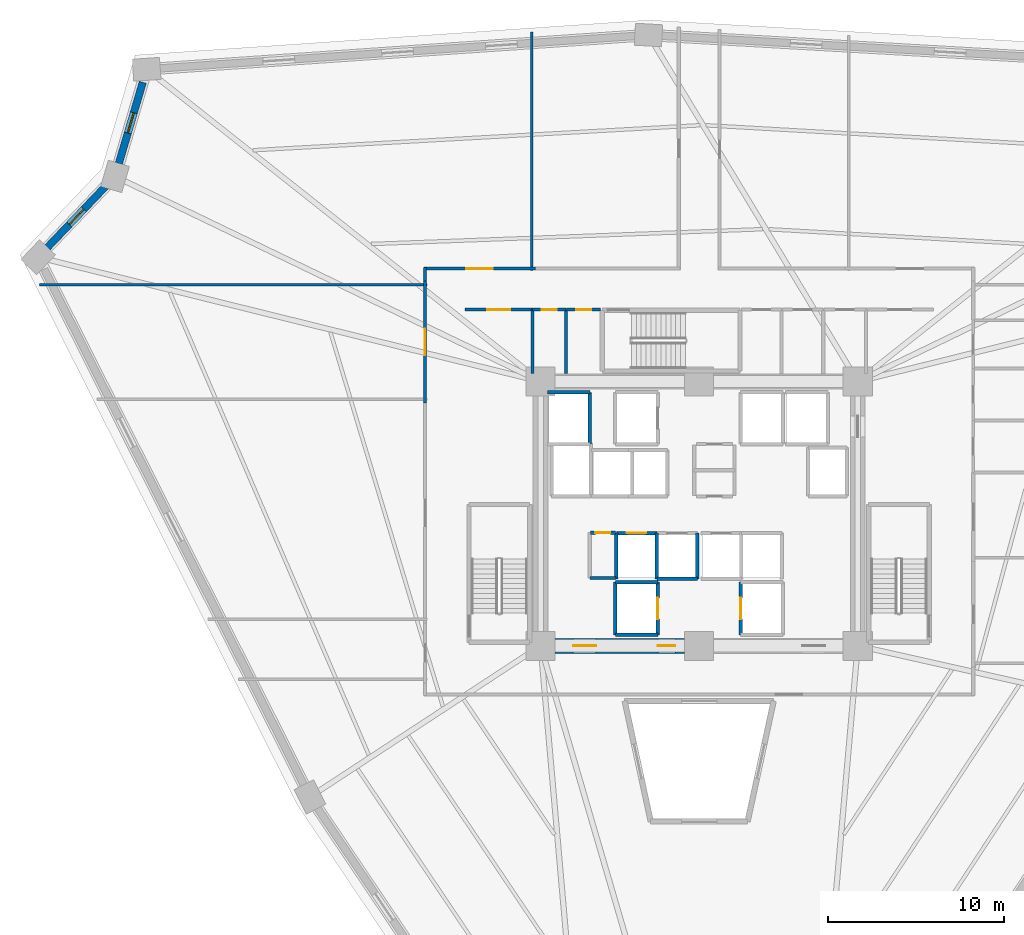
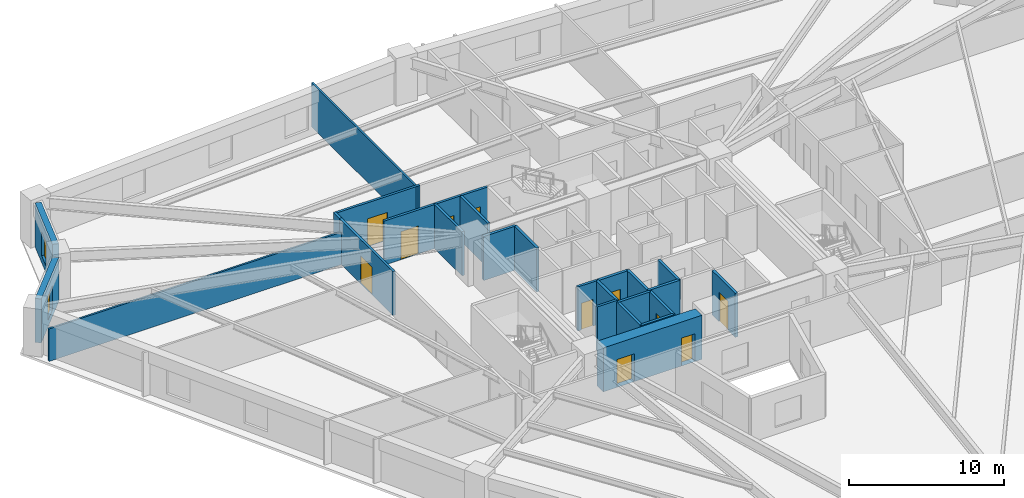
# One storey, part 4 of 8: 27 walls, 11 doors, 2 windows, 13 openings.
"""IFC4 building model written with IfcOpenShell, lengths in metres."""

import ifcopenshell
import ifcopenshell.guid

model = None  # the IFC model being written
_history = None  # IfcOwnerHistory: only IFC2X3 demands one
_inside = {}  # id of a spatial element -> (the spatial element, [elements in it])
_under = {}  # id of a project, library or spatial element -> (it, [spatial elements below it])
_declared = {}  # id of a project -> (the project, [libraries it declares])
_typed = {}  # id of a type object -> (the type object, [elements of that type])
_made_of = {}  # id of a material, layer set ... -> (it, [elements and type objects made of it])


def new_model(schema):
    """Start an empty IFC model of exactly this schema.

    Asked for "IFC4X3", IfcOpenShell would pick the latest addendum, in which some entities
    have other attributes; the version numbers below select the first issue.
    IFC2X3 requires an IfcOwnerHistory on every rooted entity: one is made here for all.
    """
    global model, _history
    if schema == "IFC4X3":
        model = ifcopenshell.file(schema_version=(4, 3, 0, 0))
    else:
        model = ifcopenshell.file(schema=schema)
    _inside.clear()
    _under.clear()
    _declared.clear()
    _typed.clear()
    _made_of.clear()
    _history = None
    if model.schema == "IFC2X3":
        org = make("IfcOrganization", Name="unknown")
        user = make(
            "IfcPersonAndOrganization",
            ThePerson=make("IfcPerson", FamilyName="unknown"),
            TheOrganization=org,
        )
        app = make(
            "IfcApplication",
            ApplicationDeveloper=org,
            Version="unknown",
            ApplicationFullName="unknown",
            ApplicationIdentifier="unknown",
        )
        _history = make(
            "IfcOwnerHistory",
            OwningUser=user,
            OwningApplication=app,
            ChangeAction="ADDED",
            CreationDate=0,
        )
    return model


def make(cls, **values):
    """One entity of the class cls with the attributes given. An attribute that is None is left unset."""
    return model.create_entity(
        cls, **{name: value for name, value in values.items() if value is not None}
    )


def rooted(cls, **values):
    """An entity with a GlobalId (a new one), such as an element, a storey or a relation."""
    return make(cls, GlobalId=ifcopenshell.guid.new(), OwnerHistory=_history, **values)


def si_unit(unit_type, name, prefix=None):
    """IfcSIUnit, for example si_unit("LENGTHUNIT", "METRE", prefix="MILLI")."""
    return make("IfcSIUnit", UnitType=unit_type, Prefix=prefix, Name=name)


def assignment(units):
    """IfcUnitAssignment: the units of a project."""
    return None if units is None else make("IfcUnitAssignment", Units=units)


def point(xyz):
    """IfcCartesianPoint."""
    return None if xyz is None else make("IfcCartesianPoint", Coordinates=xyz)


def direction(xyz):
    """IfcDirection."""
    return None if xyz is None else make("IfcDirection", DirectionRatios=xyz)


def frame(location, z_axis=None, x_axis=None):
    """IfcAxis2Placement3D, a coordinate frame: its origin and axes. An axis left out is left unset."""
    return make(
        "IfcAxis2Placement3D",
        Location=point(location),
        Axis=direction(z_axis),
        RefDirection=direction(x_axis),
    )


def frame_2d(location, x_axis=None):
    """IfcAxis2Placement2D, a coordinate frame in the plane: its origin and x axis."""
    return make(
        "IfcAxis2Placement2D", Location=point(location), RefDirection=direction(x_axis)
    )


def origin():
    """The frame at (0, 0, 0) with its axes left unset."""
    return frame((0.0, 0.0, 0.0))


def place(relative_to, where):
    """IfcLocalPlacement: puts the frame where relative to a parent placement (None: the world)."""
    return make(
        "IfcLocalPlacement", PlacementRelTo=relative_to, RelativePlacement=where
    )


def context(
    kind, dimensions, precision=None, world=None, true_north=None, identifier=None
):
    """IfcGeometricRepresentationContext, for example the 3D "Model" context."""
    return make(
        "IfcGeometricRepresentationContext",
        ContextIdentifier=identifier,
        ContextType=kind,
        CoordinateSpaceDimension=dimensions,
        Precision=precision,
        WorldCoordinateSystem=world,
        TrueNorth=true_north,
    )


def subcontext(parent, identifier, kind, view, scale=None):
    """IfcGeometricRepresentationSubContext, for example "Body" below "Model"."""
    return make(
        "IfcGeometricRepresentationSubContext",
        ContextIdentifier=identifier,
        ContextType=kind,
        ParentContext=parent,
        TargetScale=scale,
        TargetView=view,
    )


def project(units=None, contexts=None):
    """IfcProject with its units and contexts."""
    return rooted(
        "IfcProject",
        Name="project",
        RepresentationContexts=contexts,
        UnitsInContext=assignment(units),
    )


def spatial(cls, under=None, at=None, **own):
    """A site, building, storey or space (cls), placed at a placement, below another one or the project."""
    s = rooted(cls, ObjectPlacement=at, **own)
    if under is not None:
        _under.setdefault(under.id(), (under, []))[1].append(s)
    return s


def profile(cls, at=None, kind="AREA", **sizes):
    """A parametric profile (cls). Its sizes go by their IFC names, for example OverallWidth=200.0."""
    return make(cls, ProfileType=kind, Position=at, **sizes)


def rectangle(**sizes):
    """IfcRectangleProfileDef."""
    return profile("IfcRectangleProfileDef", **sizes)


def extrude(swept, where, along, depth):
    """IfcExtrudedAreaSolid: the profile swept, set in the frame where, extruded along a direction by depth."""
    return make(
        "IfcExtrudedAreaSolid",
        SweptArea=swept,
        Position=where,
        ExtrudedDirection=direction(along),
        Depth=depth,
    )


def shape(context_of_items, identifier, shape_type, items):
    """IfcShapeRepresentation: the items that make up one representation, for example the "Body"."""
    return make(
        "IfcShapeRepresentation",
        ContextOfItems=context_of_items,
        RepresentationIdentifier=identifier,
        RepresentationType=shape_type,
        Items=items,
    )


def source(mapping_origin, context_of_items, identifier, shape_type, items):
    """IfcRepresentationMap: a shape defined once, which mapped items show again and again."""
    return make(
        "IfcRepresentationMap",
        MappingOrigin=mapping_origin,
        MappedRepresentation=shape(context_of_items, identifier, shape_type, items),
    )


def transform(
    local_origin,
    x_axis=None,
    y_axis=None,
    z_axis=None,
    scale=None,
    scale2=None,
    scale3=None,
    uniform=True,
):
    """IfcCartesianTransformationOperator3D, or its non-uniform kind. x_axis, y_axis, z_axis: its Axis1, 2, 3."""
    if uniform:
        return make(
            "IfcCartesianTransformationOperator3D",
            Axis1=direction(x_axis),
            Axis2=direction(y_axis),
            LocalOrigin=point(local_origin),
            Scale=scale,
            Axis3=direction(z_axis),
        )
    return make(
        "IfcCartesianTransformationOperator3DnonUniform",
        Axis1=direction(x_axis),
        Axis2=direction(y_axis),
        LocalOrigin=point(local_origin),
        Scale=scale,
        Axis3=direction(z_axis),
        Scale2=scale2,
        Scale3=scale3,
    )


def mapped(mapping_source, mapping_target):
    """IfcMappedItem: shows the shape of a source again, moved by a transform."""
    return make(
        "IfcMappedItem", MappingSource=mapping_source, MappingTarget=mapping_target
    )


def material(Name=None, Category=None):
    """IfcMaterial."""
    return make("IfcMaterial", Name=Name, Category=Category)


def layer(
    of_material, thickness, ventilated=None, Name=None, Category=None, Priority=None
):
    """IfcMaterialLayer: one layer of a wall or slab, of a material (None: an air gap)."""
    return make(
        "IfcMaterialLayer",
        Material=of_material,
        LayerThickness=thickness,
        IsVentilated=ventilated,
        Name=Name,
        Category=Category,
        Priority=Priority,
    )


def layer_set(layers, Name=None):
    """IfcMaterialLayerSet."""
    return make("IfcMaterialLayerSet", MaterialLayers=layers, LayerSetName=Name)


def made_of(thing, what):
    """Note that an element or type object is made of a material, layer set ...; save() writes the relation."""
    if what is not None:
        _made_of.setdefault(what.id(), (what, []))[1].append(thing)
    return thing


def type_object(cls, material=None, **own):
    """A type object (cls), such as IfcWallType, which elements share."""
    return made_of(rooted(cls, **own), material)


def element(
    cls,
    number,
    at=None,
    inside=None,
    cuts=None,
    type_object=None,
    material=None,
    context=None,
    identifier="Body",
    shape_type=None,
    held_by="IfcProductDefinitionShape",
    body=None,
    shapes=None,
    **own,
):
    """One element of the class cls, such as IfcWall. Its Tag is "e" and its number.

    at: its placement. inside: the storey or other place that contains it. cuts: it is an
    opening in that element (IfcRelVoidsElement). A single representation is given by context,
    identifier, shape_type and body (its items); several are given by shapes. held_by: the class
    of the entity that holds the representations. save() writes the other relations.
    """
    e = rooted(cls, Tag="e%d" % number, ObjectPlacement=at, **own)
    if body is not None:
        shapes = [shape(context, identifier, shape_type, body)]
    if shapes is not None:
        e.Representation = make(held_by, Representations=shapes)
    if inside is not None:
        _inside.setdefault(inside.id(), (inside, []))[1].append(e)
    if cuts is not None:
        rooted(
            "IfcRelVoidsElement", RelatingBuildingElement=cuts, RelatedOpeningElement=e
        )
    if type_object is not None:
        _typed.setdefault(type_object.id(), (type_object, []))[1].append(e)
    return made_of(e, material)


def fill(opening, filler):
    """IfcRelFillsElement: the door or window that sits in an opening."""
    return rooted(
        "IfcRelFillsElement",
        RelatingOpeningElement=opening,
        RelatedBuildingElement=filler,
    )


def aggregate(whole, parts):
    """IfcRelAggregates: a whole, such as a stair, and the parts it consists of."""
    return rooted("IfcRelAggregates", RelatingObject=whole, RelatedObjects=parts)


def save(model, path):
    """Write the relations noted so far, then the file.

    IfcRelAggregates (storeys below a building ...), IfcRelContainedInSpatialStructure (elements
    in a storey), IfcRelDefinesByType, IfcRelAssociatesMaterial and IfcRelDeclares: one each for
    every whole, place, type object, material and project.
    """
    for whole, parts in _under.values():
        aggregate(whole, parts)
    for where, things in _inside.values():
        rooted(
            "IfcRelContainedInSpatialStructure",
            RelatedElements=things,
            RelatingStructure=where,
        )
    for kind, things in _typed.values():
        rooted("IfcRelDefinesByType", RelatedObjects=things, RelatingType=kind)
    for what, things in _made_of.values():
        rooted("IfcRelAssociatesMaterial", RelatedObjects=things, RelatingMaterial=what)
    for by, libraries in _declared.values():
        rooted("IfcRelDeclares", RelatingContext=by, RelatedDefinitions=libraries)
    model.write(path)


model = new_model("IFC4")

# Units and contexts
model_context = context("Model", 3, precision=1e-05, world=origin(), true_north=direction((0.0, 1.0)))
body_context = subcontext(model_context, "Body", "Model", "MODEL_VIEW")
ifc_project = project(units=[si_unit("LENGTHUNIT", "METRE"), si_unit("AREAUNIT", "SQUARE_METRE"), si_unit("VOLUMEUNIT", "CUBIC_METRE"), si_unit("PLANEANGLEUNIT", "RADIAN"), si_unit("MASSUNIT", "GRAM", prefix="KILO")], contexts=[model_context])

# Site, building, storey
site_placement = place(None, origin())
site = spatial("IfcSite", under=ifc_project, at=site_placement, CompositionType="ELEMENT")
building_placement = place(site_placement, origin())
building = spatial("IfcBuilding", under=site, at=building_placement, Name="Liaohun Quay Tower", CompositionType="ELEMENT")
storey_placement = place(building_placement, frame((0.0, 0.0, 89.25)))
storey = spatial("IfcBuildingStorey", under=building, at=storey_placement, Name="L23", CompositionType="ELEMENT", Elevation=89.25)

# Wall, openings, doors
ifc_material_1 = material(Name="Concrete C60", Category="concrete")
ifc_layer_1 = layer(ifc_material_1, 0.85009765625, Name="Concrete C60", Category="concrete")
ifc_layer_set_1 = layer_set([ifc_layer_1], Name="Concrete C60")
wall_type_1 = type_object("IfcWallType", Name="WAL-COR-Z1", PredefinedType="SHEAR", material=ifc_layer_set_1)
wall_1_placement = place(storey_placement, frame((59.175048828125, 46.5, 0.0), z_axis=(0.0, 0.0, 1.0), x_axis=(-1.0, 0.0, 0.0)))
wall_1 = element("IfcWall", 1, at=wall_1_placement, inside=storey, type_object=wall_type_1, Name="L23 Central Core Shear Wall S-W", PredefinedType="SHEAR", context=body_context, shape_type="SweptSolid", body=[
    extrude(rectangle(XDim=7.35009765625, YDim=0.85009765625, at=frame_2d((3.675048828125, 0.0))), origin(), (0.0, 0.0, 1.0), 3.469970703125),
])
shared_shape_1 = source(origin(), body_context, "Body", "SweptSolid", [
    extrude(rectangle(XDim=1.300048828125, YDim=2.199951171875, at=frame_2d((0.64990234375, 1.10009765625))), frame((0.0, 0.43505859375, 0.0), z_axis=(0.0, -1.0, 0.0), x_axis=(1.0, 0.0, 0.0)), (0.0, 0.0, 1.0), 0.8701171875),
])
opening_1_placement = place(wall_1_placement, frame((5.02490234375, 0.0, 0.0)))
opening_1 = element("IfcOpeningElement", 2, at=opening_1_placement, cuts=wall_1, Name="Opening FD1", PredefinedType="OPENING", context=body_context, shape_type="MappedRepresentation", body=[
    mapped(shared_shape_1, transform((0.0, 0.0, 0.0), x_axis=(1.0, 0.0, 0.0), y_axis=(0.0, 1.0, 0.0), z_axis=(0.0, 0.0, 1.0), scale=1.0)),
])
shared_shape_2 = source(origin(), body_context, "Body", "SweptSolid", [
    extrude(rectangle(XDim=1.0, YDim=2.199951171875, at=frame_2d((0.5, 1.10009765625))), frame((0.0, 0.43505859375, 0.0), z_axis=(0.0, -1.0, 0.0), x_axis=(1.0, 0.0, 0.0)), (0.0, 0.0, 1.0), 0.8701171875),
])
opening_2_placement = place(wall_1_placement, frame((0.52490234375, 0.0, 0.0)))
opening_2 = element("IfcOpeningElement", 3, at=opening_2_placement, cuts=wall_1, Name="Opening FD2", PredefinedType="OPENING", context=body_context, shape_type="MappedRepresentation", body=[
    mapped(shared_shape_2, transform((0.0, 0.0, 0.0), x_axis=(1.0, 0.0, 0.0), y_axis=(0.0, 1.0, 0.0), z_axis=(0.0, 0.0, 1.0), scale=1.0)),
])
ifc_material_2 = material(Name="Galvanised steel smokeproof fire door", Category="steel")
door_type_1 = type_object("IfcDoorType", Name="DOR-FFL-1300", OperationType="NOTDEFINED", PredefinedType="DOOR", material=ifc_material_2)
shared_shape_3 = source(origin(), body_context, "Body", "SweptSolid", [
    extrude(rectangle(XDim=1.300048828125, YDim=2.199951171875, at=frame_2d((0.64990234375, 1.10009765625))), frame((0.0, 0.02490234375, 0.0), z_axis=(0.0, -1.0, 0.0), x_axis=(1.0, 0.0, 0.0)), (0.0, 0.0, 1.0), 0.050048828125),
])
door_1_placement = place(opening_1_placement, origin())
door_1 = element("IfcDoor", 4, at=door_1_placement, inside=storey, type_object=door_type_1, Name="L23 West Core Lift Lobby Smokeproof Door", OperationType="SINGLE_SWING_RIGHT", OverallHeight=2.199951171875, OverallWidth=1.300048828125, PredefinedType="DOOR", context=body_context, shape_type="MappedRepresentation", body=[
    mapped(shared_shape_3, transform((0.0, 0.0, 0.0), x_axis=(1.0, 0.0, 0.0), y_axis=(0.0, 1.0, 0.0), z_axis=(0.0, 0.0, 1.0), scale=1.0)),
])
fill(opening_1, door_1)
ifc_material_3 = material(Name="Galvanised steel smokeproof lobby fire door", Category="steel")
door_type_2 = type_object("IfcDoorType", Name="DOR-FFL-1000", OperationType="NOTDEFINED", PredefinedType="DOOR", material=ifc_material_3)
shared_shape_4 = source(origin(), body_context, "Body", "SweptSolid", [
    extrude(rectangle(XDim=1.0, YDim=2.199951171875, at=frame_2d((0.5, 1.10009765625))), frame((0.0, 0.02490234375, 0.0), z_axis=(0.0, -1.0, 0.0), x_axis=(1.0, 0.0, 0.0)), (0.0, 0.0, 1.0), 0.050048828125),
])
door_2_placement = place(opening_2_placement, origin())
door_2 = element("IfcDoor", 5, at=door_2_placement, inside=storey, type_object=door_type_2, Name="L23 South Firefighting Lobby Smokeproof Door", OperationType="SINGLE_SWING_LEFT", OverallHeight=2.199951171875, OverallWidth=1.0, PredefinedType="DOOR", context=body_context, shape_type="MappedRepresentation", body=[
    mapped(shared_shape_4, transform((0.0, 0.0, 0.0), x_axis=(1.0, 0.0, 0.0), y_axis=(0.0, 1.0, 0.0), z_axis=(0.0, 0.0, 1.0), scale=1.0)),
])
fill(opening_2, door_2)

# Wall, opening, window
ifc_material_4 = material(Name="Precast concrete C50 insulated sandwich", Category="concrete")
ifc_layer_2 = layer(ifc_material_4, 0.419921875, Name="Precast concrete C50 insulated sandwich", Category="concrete")
ifc_layer_set_2 = layer_set([ifc_layer_2], Name="Precast concrete C50 insulated sandwich")
wall_type_2 = type_object("IfcWallType", Name="WAL-EXT-Z12", PredefinedType="SOLIDWALL", material=ifc_layer_set_2)
wall_2_placement = place(storey_placement, frame((28.4208984375, 78.488037109375, 0.0), z_axis=(0.0, 0.0, 1.0), x_axis=(-0.282812256526, -0.959175285106, 0.0)))
wall_2 = element("IfcWall", 6, at=wall_2_placement, inside=storey, type_object=wall_type_2, Name="L23 Brutalist Precast Pier Wall 08", PredefinedType="SOLIDWALL", context=body_context, shape_type="SweptSolid", body=[
    extrude(rectangle(XDim=4.808349609375, YDim=0.419921875, at=frame_2d((2.404296875, 0.0))), origin(), (0.0, 0.0, 1.0), 3.469970703125),
])
shared_shape_5 = source(origin(), body_context, "Body", "SweptSolid", [
    extrude(rectangle(XDim=1.199951171875, YDim=1.89990234375, at=frame_2d((0.60009765625, 0.949951171875))), frame((0.0, 0.219970703125, 0.0), z_axis=(0.0, -1.0, 0.0), x_axis=(1.0, 0.0, 0.0)), (0.0, 0.0, 1.0), 0.43994140625),
])
opening_3_placement = place(wall_2_placement, frame((1.803955078125, 0.0, 0.550048828125)))
opening_3 = element("IfcOpeningElement", 7, at=opening_3_placement, cuts=wall_2, Name="Opening W05", PredefinedType="OPENING", context=body_context, shape_type="MappedRepresentation", body=[
    mapped(shared_shape_5, transform((0.0, 0.0, 0.0), x_axis=(1.0, 0.0, 0.0), y_axis=(0.0, 1.0, 0.0), z_axis=(0.0, 0.0, 1.0), scale=1.0)),
])
ifc_material_5 = material(Name="Triple Low-E corner notch glazing", Category="glass")
window_type = type_object("IfcWindowType", Name="WIN-NOTCH", PartitioningType="SINGLE_PANEL", PredefinedType="WINDOW", material=ifc_material_5)
shared_shape_6 = source(origin(), body_context, "Body", "SweptSolid", [
    extrude(rectangle(XDim=1.199951171875, YDim=1.89990234375, at=frame_2d((0.60009765625, 0.949951171875))), frame((0.0, 0.030029296875, 0.0), z_axis=(0.0, -1.0, 0.0), x_axis=(1.0, 0.0, 0.0)), (0.0, 0.0, 1.0), 0.06005859375),
])
window_1_placement = place(opening_3_placement, origin())
window_1 = element("IfcWindow", 8, at=window_1_placement, inside=storey, type_object=window_type, Name="L23 Corner Notch Window W05-08", OverallHeight=1.89990234375, OverallWidth=1.199951171875, PartitioningType="SINGLE_PANEL", PredefinedType="WINDOW", context=body_context, shape_type="MappedRepresentation", body=[
    mapped(shared_shape_6, transform((0.0, 0.0, 0.0), x_axis=(1.0, 0.0, 0.0), y_axis=(0.0, 1.0, 0.0), z_axis=(0.0, 0.0, 1.0), scale=1.0)),
])
fill(opening_3, window_1)

wall_3_placement = place(storey_placement, frame((26.318115234375, 72.587890625, 0.0), z_axis=(0.0, 0.0, 1.0), x_axis=(-0.689510475748, -0.724275709819, 0.0)))
wall_3 = element("IfcWall", 9, at=wall_3_placement, inside=storey, type_object=wall_type_2, Name="L23 Brutalist Precast Pier Wall 09", PredefinedType="SOLIDWALL", context=body_context, shape_type="SweptSolid", body=[
    extrude(rectangle(XDim=4.803466796875, YDim=0.419921875, at=frame_2d((2.40185546875, 0.0))), origin(), (0.0, 0.0, 1.0), 3.469970703125),
])
opening_4_placement = place(wall_3_placement, frame((1.802001953125, 0.0, 0.550048828125)))
opening_4 = element("IfcOpeningElement", 10, at=opening_4_placement, cuts=wall_3, Name="Opening W05", PredefinedType="OPENING", context=body_context, shape_type="MappedRepresentation", body=[
    mapped(shared_shape_5, transform((0.0, 0.0, 0.0), x_axis=(1.0, 0.0, 0.0), y_axis=(0.0, 1.0, 0.0), z_axis=(0.0, 0.0, 1.0), scale=1.0)),
])
window_2_placement = place(opening_4_placement, origin())
window_2 = element("IfcWindow", 11, at=window_2_placement, inside=storey, type_object=window_type, Name="L23 Corner Notch Window W05-09", OverallHeight=1.89990234375, OverallWidth=1.199951171875, PartitioningType="SINGLE_PANEL", PredefinedType="WINDOW", context=body_context, shape_type="MappedRepresentation", body=[
    mapped(shared_shape_6, transform((0.0, 0.0, 0.0), x_axis=(1.0, 0.0, 0.0), y_axis=(0.0, 1.0, 0.0), z_axis=(0.0, 0.0, 1.0), scale=1.0)),
])
fill(opening_4, window_2)

# Wall, opening, door
ifc_material_6 = material(Name="Autoclaved aerated concrete blockwork", Category="masonry")
ifc_layer_3 = layer(ifc_material_6, 0.179931640625, Name="Autoclaved aerated concrete blockwork", Category="masonry")
ifc_layer_set_3 = layer_set([ifc_layer_3], Name="Autoclaved aerated concrete blockwork")
wall_type_3 = type_object("IfcWallType", Name="WAL-PRT-COR", PredefinedType="PARTITIONING", material=ifc_layer_set_3)
wall_4_placement = place(storey_placement, frame((53.820068359375, 52.919921875, 0.0), z_axis=(0.0, 0.0, 1.0), x_axis=(1.0, 0.0, 0.0)))
wall_4 = element("IfcWall", 12, at=wall_4_placement, inside=storey, type_object=wall_type_3, Name="L23 Interior Partition Wall 003", PredefinedType="PARTITIONING", context=body_context, shape_type="SweptSolid", body=[
    extrude(rectangle(XDim=1.429931640625, YDim=0.179931640625, at=frame_2d((0.71484375, 0.0))), origin(), (0.0, 0.0, 1.0), 3.469970703125),
])
shared_shape_7 = source(origin(), body_context, "Body", "SweptSolid", [
    extrude(rectangle(XDim=0.85009765625, YDim=2.10009765625, at=frame_2d((0.425048828125, 1.050048828125))), frame((0.0, 0.099853515625, 0.0), z_axis=(0.0, -1.0, 0.0), x_axis=(1.0, 0.0, 0.0)), (0.0, 0.0, 1.0), 0.199951171875),
])
opening_5_placement = place(wall_4_placement, frame((0.2900390625, 0.0, 0.0)))
opening_5 = element("IfcOpeningElement", 13, at=opening_5_placement, cuts=wall_4, Name="Opening AD1", PredefinedType="OPENING", context=body_context, shape_type="MappedRepresentation", body=[
    mapped(shared_shape_7, transform((0.0, 0.0, 0.0), x_axis=(1.0, 0.0, 0.0), y_axis=(0.0, 1.0, 0.0), z_axis=(0.0, 0.0, 1.0), scale=1.0)),
])
ifc_material_7 = material(Name="Steel riser inspection fire door", Category="steel")
door_type_3 = type_object("IfcDoorType", Name="DOR-SHF-850", OperationType="NOTDEFINED", PredefinedType="DOOR", material=ifc_material_7)
shared_shape_8 = source(origin(), body_context, "Body", "SweptSolid", [
    extrude(rectangle(XDim=0.85009765625, YDim=2.10009765625, at=frame_2d((0.425048828125, 1.050048828125))), frame((0.0, 0.02490234375, 0.0), z_axis=(0.0, -1.0, 0.0), x_axis=(1.0, 0.0, 0.0)), (0.0, 0.0, 1.0), 0.050048828125),
])
door_3_placement = place(opening_5_placement, origin())
door_3 = element("IfcDoor", 14, at=door_3_placement, inside=storey, type_object=door_type_3, Name="L23 Core Fire Hose and Riser Closet Door", OperationType="SINGLE_SWING_RIGHT", OverallHeight=2.10009765625, OverallWidth=0.85009765625, PredefinedType="DOOR", context=body_context, shape_type="MappedRepresentation", body=[
    mapped(shared_shape_8, transform((0.0, 0.0, 0.0), x_axis=(1.0, 0.0, 0.0), y_axis=(0.0, 1.0, 0.0), z_axis=(0.0, 0.0, 1.0), scale=1.0)),
])
fill(opening_5, door_3)

wall_5_placement = place(storey_placement, frame((50.5400390625, 65.580078125, 0.0), z_axis=(0.0, 0.0, 1.0), x_axis=(1.0, 0.0, 0.0)))
wall_5 = element("IfcWall", 15, at=wall_5_placement, inside=storey, type_object=wall_type_3, Name="L23 Interior Partition Wall 007", PredefinedType="PARTITIONING", context=body_context, shape_type="SweptSolid", body=[
    extrude(rectangle(XDim=1.89990234375, YDim=0.179931640625, at=frame_2d((0.949951171875, 0.0))), origin(), (0.0, 0.0, 1.0), 3.469970703125),
])
opening_6_placement = place(wall_5_placement, frame((0.52490234375, 0.0, 0.0)))
opening_6 = element("IfcOpeningElement", 16, at=opening_6_placement, cuts=wall_5, Name="Opening AD1", PredefinedType="OPENING", context=body_context, shape_type="MappedRepresentation", body=[
    mapped(shared_shape_7, transform((0.0, 0.0, 0.0), x_axis=(1.0, 0.0, 0.0), y_axis=(0.0, 1.0, 0.0), z_axis=(0.0, 0.0, 1.0), scale=1.0)),
])
door_4_placement = place(opening_6_placement, origin())
door_4 = element("IfcDoor", 17, at=door_4_placement, inside=storey, type_object=door_type_3, Name="L23 North-West Riser Closet Door", OperationType="SINGLE_SWING_RIGHT", OverallHeight=2.10009765625, OverallWidth=0.85009765625, PredefinedType="DOOR", context=body_context, shape_type="MappedRepresentation", body=[
    mapped(shared_shape_8, transform((0.0, 0.0, 0.0), x_axis=(1.0, 0.0, 0.0), y_axis=(0.0, 1.0, 0.0), z_axis=(0.0, 0.0, 1.0), scale=1.0)),
])
fill(opening_6, door_4)

wall_6_placement = place(storey_placement, frame((52.47998046875, 65.580078125, 0.0), z_axis=(0.0, 0.0, 1.0), x_axis=(1.0, 0.0, 0.0)))
wall_6 = element("IfcWall", 18, at=wall_6_placement, inside=storey, type_object=wall_type_3, Name="L23 Interior Partition Wall 008", PredefinedType="PARTITIONING", context=body_context, shape_type="SweptSolid", body=[
    extrude(rectangle(XDim=1.929931640625, YDim=0.179931640625, at=frame_2d((0.96484375, 0.0))), origin(), (0.0, 0.0, 1.0), 3.469970703125),
])
opening_7_placement = place(wall_6_placement, frame((0.5400390625, 0.0, 0.0)))
opening_7 = element("IfcOpeningElement", 19, at=opening_7_placement, cuts=wall_6, Name="Opening AD1", PredefinedType="OPENING", context=body_context, shape_type="MappedRepresentation", body=[
    mapped(shared_shape_7, transform((0.0, 0.0, 0.0), x_axis=(1.0, 0.0, 0.0), y_axis=(0.0, 1.0, 0.0), z_axis=(0.0, 0.0, 1.0), scale=1.0)),
])
door_5_placement = place(opening_7_placement, origin())
door_5 = element("IfcDoor", 20, at=door_5_placement, inside=storey, type_object=door_type_3, Name="L23 North-West Print Closet Door", OperationType="SINGLE_SWING_LEFT", OverallHeight=2.10009765625, OverallWidth=0.85009765625, PredefinedType="DOOR", context=body_context, shape_type="MappedRepresentation", body=[
    mapped(shared_shape_8, transform((0.0, 0.0, 0.0), x_axis=(1.0, 0.0, 0.0), y_axis=(0.0, 1.0, 0.0), z_axis=(0.0, 0.0, 1.0), scale=1.0)),
])
fill(opening_7, door_5)

wall_7_placement = place(storey_placement, frame((46.699951171875, 65.580078125, 0.0), z_axis=(0.0, 0.0, 1.0), x_axis=(1.0, 0.0, 0.0)))
wall_7 = element("IfcWall", 21, at=wall_7_placement, inside=storey, type_object=wall_type_3, Name="L23 Interior Partition Wall 012", PredefinedType="PARTITIONING", context=body_context, shape_type="SweptSolid", body=[
    extrude(rectangle(XDim=3.840087890625, YDim=0.179931640625, at=frame_2d((1.919921875, 0.0))), origin(), (0.0, 0.0, 1.0), 3.469970703125),
])
shared_shape_9 = source(origin(), body_context, "Body", "SweptSolid", [
    extrude(rectangle(XDim=1.300048828125, YDim=2.199951171875, at=frame_2d((0.64990234375, 1.10009765625))), frame((0.0, 0.099853515625, 0.0), z_axis=(0.0, -1.0, 0.0), x_axis=(1.0, 0.0, 0.0)), (0.0, 0.0, 1.0), 0.199951171875),
])
opening_8_placement = place(wall_7_placement, frame((1.27001953125, 0.0, 0.0)))
opening_8 = element("IfcOpeningElement", 22, at=opening_8_placement, cuts=wall_7, Name="Opening FD1", PredefinedType="OPENING", context=body_context, shape_type="MappedRepresentation", body=[
    mapped(shared_shape_9, transform((0.0, 0.0, 0.0), x_axis=(1.0, 0.0, 0.0), y_axis=(0.0, 1.0, 0.0), z_axis=(0.0, 0.0, 1.0), scale=1.0)),
])
door_6_placement = place(opening_8_placement, origin())
door_6 = element("IfcDoor", 23, at=door_6_placement, inside=storey, type_object=door_type_1, Name="L23 West Core Vestibule Door", OperationType="SINGLE_SWING_LEFT", OverallHeight=2.199951171875, OverallWidth=1.300048828125, PredefinedType="DOOR", context=body_context, shape_type="MappedRepresentation", body=[
    mapped(shared_shape_3, transform((0.0, 0.0, 0.0), x_axis=(1.0, 0.0, 0.0), y_axis=(0.0, 1.0, 0.0), z_axis=(0.0, 0.0, 1.0), scale=1.0)),
])
fill(opening_8, door_6)

wall_8_placement = place(storey_placement, frame((44.3701171875, 67.909912109375, 0.0), z_axis=(0.0, 0.0, 1.0), x_axis=(1.0, 0.0, 0.0)))
wall_8 = element("IfcWall", 24, at=wall_8_placement, inside=storey, type_object=wall_type_3, Name="L23 Interior Partition Wall 018", PredefinedType="PARTITIONING", context=body_context, shape_type="SweptSolid", body=[
    extrude(rectangle(XDim=6.344970703125, YDim=0.179931640625, at=frame_2d((3.17236328125, 0.0))), origin(), (0.0, 0.0, 1.0), 3.469970703125),
])
shared_shape_10 = source(origin(), body_context, "Body", "SweptSolid", [
    extrude(rectangle(XDim=1.5, YDim=2.199951171875, at=frame_2d((0.75, 1.10009765625))), frame((0.0, 0.099853515625, 0.0), z_axis=(0.0, -1.0, 0.0), x_axis=(1.0, 0.0, 0.0)), (0.0, 0.0, 1.0), 0.199951171875),
])
opening_9_placement = place(wall_8_placement, frame((2.423095703125, 0.0, 0.0)))
opening_9 = element("IfcOpeningElement", 25, at=opening_9_placement, cuts=wall_8, Name="Opening OD2", PredefinedType="OPENING", context=body_context, shape_type="MappedRepresentation", body=[
    mapped(shared_shape_10, transform((0.0, 0.0, 0.0), x_axis=(1.0, 0.0, 0.0), y_axis=(0.0, 1.0, 0.0), z_axis=(0.0, 0.0, 1.0), scale=1.0)),
])
ifc_material_8 = material(Name="Acoustic oak veneer double door")
door_type_4 = type_object("IfcDoorType", Name="DOR-OFF-1500", OperationType="DOUBLE_DOOR_SINGLE_SWING", PredefinedType="DOOR", material=ifc_material_8)
shared_shape_11 = source(origin(), body_context, "Body", "SweptSolid", [
    extrude(rectangle(XDim=1.5, YDim=2.199951171875, at=frame_2d((0.75, 1.10009765625))), frame((0.0, 0.02490234375, 0.0), z_axis=(0.0, -1.0, 0.0), x_axis=(1.0, 0.0, 0.0)), (0.0, 0.0, 1.0), 0.050048828125),
])
door_7_placement = place(opening_9_placement, origin())
door_7 = element("IfcDoor", 26, at=door_7_placement, inside=storey, type_object=door_type_4, Name="L23 Client Collaboration Lounge 05 Door", OperationType="DOUBLE_DOOR_SINGLE_SWING", OverallHeight=2.199951171875, OverallWidth=1.5, PredefinedType="DOOR", context=body_context, shape_type="MappedRepresentation", body=[
    mapped(shared_shape_11, transform((0.0, 0.0, 0.0), x_axis=(1.0, 0.0, 0.0), y_axis=(0.0, 1.0, 0.0), z_axis=(0.0, 0.0, 1.0), scale=1.0)),
])
fill(opening_9, door_7)

wall_9_placement = place(storey_placement, frame((44.43994140625, 60.284912109375, 0.0), z_axis=(0.0, 0.0, 1.0), x_axis=(0.0, 1.0, 0.0)))
wall_9 = element("IfcWall", 27, at=wall_9_placement, inside=storey, type_object=wall_type_3, Name="L23 Interior Partition Wall 019", PredefinedType="PARTITIONING", context=body_context, shape_type="SweptSolid", body=[
    extrude(rectangle(XDim=6.93017578125, YDim=0.179931640625, at=frame_2d((3.465087890625, 0.0))), origin(), (0.0, 0.0, 1.0), 3.469970703125),
])
opening_10_placement = place(wall_9_placement, frame((2.715087890625, 0.0, 0.0)))
opening_10 = element("IfcOpeningElement", 28, at=opening_10_placement, cuts=wall_9, Name="Opening OD2", PredefinedType="OPENING", context=body_context, shape_type="MappedRepresentation", body=[
    mapped(shared_shape_10, transform((0.0, 0.0, 0.0), x_axis=(1.0, 0.0, 0.0), y_axis=(0.0, 1.0, 0.0), z_axis=(0.0, 0.0, 1.0), scale=1.0)),
])
door_8_placement = place(opening_10_placement, origin())
door_8 = element("IfcDoor", 29, at=door_8_placement, inside=storey, type_object=door_type_4, Name="L23 Staff Tea Kitchen and Pantry 06 Door", OperationType="DOUBLE_DOOR_SINGLE_SWING", OverallHeight=2.199951171875, OverallWidth=1.5, PredefinedType="DOOR", context=body_context, shape_type="MappedRepresentation", body=[
    mapped(shared_shape_11, transform((0.0, 0.0, 0.0), x_axis=(1.0, 0.0, 0.0), y_axis=(0.0, 1.0, 0.0), z_axis=(0.0, 0.0, 1.0), scale=1.0)),
])
fill(opening_10, door_8)

# Walls
wall_10_placement = place(storey_placement, frame((53.7900390625, 50.35009765625, 0.0), z_axis=(0.0, 0.0, 1.0), x_axis=(1.0, 0.0, 0.0)))
element("IfcWall", 30, at=wall_10_placement, inside=storey, type_object=wall_type_3, Name="L23 Interior Partition Wall 028", PredefinedType="PARTITIONING", context=body_context, shape_type="SweptSolid", body=[
    extrude(rectangle(XDim=1.489990234375, YDim=0.179931640625, at=frame_2d((0.7451171875, 0.0))), origin(), (0.0, 0.0, 1.0), 3.469970703125),
])
for number, where, z_axis, x_axis, name in (
    (31, (50.5400390625, 61.949951171875, 0.0), (0.0, 0.0, 1.0), (0.0, 1.0, 0.0), "L23 Interior Partition Wall 034"),
    (32, (52.43994140625, 61.949951171875, 0.0), (0.0, 0.0, 1.0), (0.0, 1.0, 0.0), "L23 Interior Partition Wall 035"),
):
    element("IfcWall", number, at=place(storey_placement, frame(where, z_axis=z_axis, x_axis=x_axis)), inside=storey, type_object=wall_type_3, Name=name, PredefinedType="PARTITIONING", context=body_context, shape_type="SweptSolid", body=[
        extrude(rectangle(XDim=3.630126953125, YDim=0.179931640625, at=frame_2d((1.81494140625, 0.0))), origin(), (0.0, 0.0, 1.0), 3.469970703125),
    ])
wall_11_placement = place(storey_placement, frame((44.43994140625, 67.215087890625, 0.0), z_axis=(0.0, 0.0, 1.0), x_axis=(0.0, 1.0, 0.0)))
element("IfcWall", 33, at=wall_11_placement, inside=storey, type_object=wall_type_3, Name="L23 Interior Partition Wall 043", PredefinedType="PARTITIONING", context=body_context, shape_type="SweptSolid", body=[
    extrude(rectangle(XDim=0.764892578125, YDim=0.179931640625, at=frame_2d((0.38232421875, 0.0))), origin(), (0.0, 0.0, 1.0), 3.469970703125),
])
ifc_material_9 = material(Name="Gypsum board on twin steel studs", Category="steel")
ifc_layer_4 = layer(ifc_material_9, 0.139892578125, Name="Gypsum board on twin steel studs", Category="steel")
ifc_layer_set_4 = layer_set([ifc_layer_4], Name="Gypsum board on twin steel studs")
wall_type_4 = type_object("IfcWallType", Name="WAL-PRT-OFF", PredefinedType="PARTITIONING", material=ifc_layer_set_4)
wall_12_placement = place(storey_placement, frame((44.5400390625, 67.0, 0.0), z_axis=(0.0, 0.0, 1.0), x_axis=(-1.0, 0.0, 0.0)))
element("IfcWall", 34, at=wall_12_placement, inside=storey, type_object=wall_type_4, Name="L23 Interior Partition Wall 049", PredefinedType="PARTITIONING", context=body_context, shape_type="SweptSolid", body=[
    extrude(rectangle(XDim=21.983154296875, YDim=0.139892578125, at=frame_2d((10.99169921875, 0.0))), origin(), (0.0, 0.0, 1.0), 2.554931640625),
])
wall_13_placement = place(storey_placement, frame((50.5, 67.81005859375, 0.0), z_axis=(0.0, 0.0, 1.0), x_axis=(0.0, 1.0, 0.0)))
element("IfcWall", 35, at=wall_13_placement, inside=storey, type_object=wall_type_4, Name="L23 Interior Partition Wall 053", PredefinedType="PARTITIONING", context=body_context, shape_type="SweptSolid", body=[
    extrude(rectangle(XDim=13.536865234375, YDim=0.139892578125, at=frame_2d((6.7685546875, 0.0))), origin(), (0.0, 0.0, 1.0), 3.469970703125),
])
ifc_material_10 = material(Name="Concrete C50", Category="concrete")
ifc_layer_5 = layer(ifc_material_10, 0.239990234375, Name="Concrete C50", Category="concrete")
ifc_layer_set_5 = layer_set([ifc_layer_5], Name="Concrete C50")
wall_type_5 = type_object("IfcWallType", Name="WAL-SHF-200", PredefinedType="SOLIDWALL", material=ifc_layer_set_5)
wall_14_placement = place(storey_placement, frame((55.25, 47.1201171875, 0.0), z_axis=(0.0, 0.0, 1.0), x_axis=(1.0, 0.0, 0.0)))
element("IfcWall", 36, at=wall_14_placement, inside=storey, type_object=wall_type_5, Name="L23 Lift FF-01 Hoistway Wall S", PredefinedType="SOLIDWALL", context=body_context, shape_type="SweptSolid", body=[
    extrude(rectangle(XDim=2.39990234375, YDim=0.199951171875, at=frame_2d((1.199951171875, 0.0))), origin(), (0.0, 0.0, 1.0), 3.469970703125),
])

# Wall, opening, door
wall_15_placement = place(storey_placement, frame((57.64990234375, 47.1201171875, 0.0), z_axis=(0.0, 0.0, 1.0), x_axis=(0.0, 1.0, 0.0)))
wall_15 = element("IfcWall", 37, at=wall_15_placement, inside=storey, type_object=wall_type_5, Name="L23 Lift FF-01 Hoistway Wall E", PredefinedType="SOLIDWALL", context=body_context, shape_type="SweptSolid", body=[
    extrude(rectangle(XDim=3.0, YDim=0.199951171875, at=frame_2d((1.5, 0.0))), origin(), (0.0, 0.0, 1.0), 3.469970703125),
])
shared_shape_12 = source(origin(), body_context, "Body", "SweptSolid", [
    extrude(rectangle(XDim=1.199951171875, YDim=2.300048828125, at=frame_2d((0.60009765625, 1.14990234375))), frame((0.0, 0.10986328125, 0.0), z_axis=(0.0, -1.0, 0.0), x_axis=(1.0, 0.0, 0.0)), (0.0, 0.0, 1.0), 0.219970703125),
])
opening_11_placement = place(wall_15_placement, frame((0.89990234375, 0.0, 0.0)))
opening_11 = element("IfcOpeningElement", 38, at=opening_11_placement, cuts=wall_15, Name="Opening LD2", PredefinedType="OPENING", context=body_context, shape_type="MappedRepresentation", body=[
    mapped(shared_shape_12, transform((0.0, 0.0, 0.0), x_axis=(1.0, 0.0, 0.0), y_axis=(0.0, 1.0, 0.0), z_axis=(0.0, 0.0, 1.0), scale=1.0)),
])
ifc_material_11 = material(Name="Brushed stainless steel stretcher landing door", Category="steel")
door_type_5 = type_object("IfcDoorType", Name="DOR-LFT-1200", OperationType="SLIDING_TO_LEFT", PredefinedType="DOOR", material=ifc_material_11)
shared_shape_13 = source(origin(), body_context, "Body", "SweptSolid", [
    extrude(rectangle(XDim=1.199951171875, YDim=2.300048828125, at=frame_2d((0.60009765625, 1.14990234375))), frame((0.0, 0.02490234375, 0.0), z_axis=(0.0, -1.0, 0.0), x_axis=(1.0, 0.0, 0.0)), (0.0, 0.0, 1.0), 0.050048828125),
])
door_9_placement = place(opening_11_placement, origin())
door_9 = element("IfcDoor", 39, at=door_9_placement, inside=storey, type_object=door_type_5, Name="L23 Lift FF-01 Sliding Landing Door", OperationType="SLIDING_TO_LEFT", OverallHeight=2.300048828125, OverallWidth=1.199951171875, PredefinedType="DOOR", context=body_context, shape_type="MappedRepresentation", body=[
    mapped(shared_shape_13, transform((0.0, 0.0, 0.0), x_axis=(1.0, 0.0, 0.0), y_axis=(0.0, 1.0, 0.0), z_axis=(0.0, 0.0, 1.0), scale=1.0)),
])
fill(opening_11, door_9)

# Walls
wall_16_placement = place(storey_placement, frame((57.64990234375, 50.1201171875, 0.0), z_axis=(0.0, 0.0, 1.0), x_axis=(-1.0, 0.0, 0.0)))
element("IfcWall", 40, at=wall_16_placement, inside=storey, type_object=wall_type_5, Name="L23 Lift FF-01 Hoistway Wall N", PredefinedType="SOLIDWALL", context=body_context, shape_type="SweptSolid", body=[
    extrude(rectangle(XDim=2.39990234375, YDim=0.199951171875, at=frame_2d((1.199951171875, 0.0))), origin(), (0.0, 0.0, 1.0), 3.469970703125),
])
wall_17_placement = place(storey_placement, frame((55.25, 50.1201171875, 0.0), z_axis=(0.0, 0.0, 1.0), x_axis=(0.0, -1.0, 0.0)))
element("IfcWall", 41, at=wall_17_placement, inside=storey, type_object=wall_type_5, Name="L23 Lift FF-01 Hoistway Wall W", PredefinedType="SOLIDWALL", context=body_context, shape_type="SweptSolid", body=[
    extrude(rectangle(XDim=3.0, YDim=0.199951171875, at=frame_2d((1.5, 0.0))), origin(), (0.0, 0.0, 1.0), 3.469970703125),
])

# Wall, opening, door
wall_18_placement = place(storey_placement, frame((62.35009765625, 50.1201171875, 0.0), z_axis=(0.0, 0.0, 1.0), x_axis=(0.0, -1.0, 0.0)))
wall_18 = element("IfcWall", 42, at=wall_18_placement, inside=storey, type_object=wall_type_5, Name="L23 Lift FF-02 Hoistway Wall W", PredefinedType="SOLIDWALL", context=body_context, shape_type="SweptSolid", body=[
    extrude(rectangle(XDim=3.0, YDim=0.199951171875, at=frame_2d((1.5, 0.0))), origin(), (0.0, 0.0, 1.0), 3.469970703125),
])
opening_12_placement = place(wall_18_placement, frame((0.89990234375, 0.0, 0.0)))
opening_12 = element("IfcOpeningElement", 43, at=opening_12_placement, cuts=wall_18, Name="Opening LD2", PredefinedType="OPENING", context=body_context, shape_type="MappedRepresentation", body=[
    mapped(shared_shape_12, transform((0.0, 0.0, 0.0), x_axis=(1.0, 0.0, 0.0), y_axis=(0.0, 1.0, 0.0), z_axis=(0.0, 0.0, 1.0), scale=1.0)),
])
door_10_placement = place(opening_12_placement, origin())
door_10 = element("IfcDoor", 44, at=door_10_placement, inside=storey, type_object=door_type_5, Name="L23 Lift FF-02 Sliding Landing Door", OperationType="SLIDING_TO_LEFT", OverallHeight=2.300048828125, OverallWidth=1.199951171875, PredefinedType="DOOR", context=body_context, shape_type="MappedRepresentation", body=[
    mapped(shared_shape_13, transform((0.0, 0.0, 0.0), x_axis=(1.0, 0.0, 0.0), y_axis=(0.0, 1.0, 0.0), z_axis=(0.0, 0.0, 1.0), scale=1.0)),
])
fill(opening_12, door_10)

# Walls
wall_19_placement = place(storey_placement, frame((53.800048828125, 57.949951171875, 0.0), z_axis=(0.0, 0.0, 1.0), x_axis=(0.0, 1.0, 0.0)))
element("IfcWall", 45, at=wall_19_placement, inside=storey, type_object=wall_type_5, Name="L23 Lift SH-01 Hoistway Wall E", PredefinedType="SOLIDWALL", context=body_context, shape_type="SweptSolid", body=[
    extrude(rectangle(XDim=2.929931640625, YDim=0.199951171875, at=frame_2d((1.46484375, 0.0))), origin(), (0.0, 0.0, 1.0), 3.469970703125),
])
wall_20_placement = place(storey_placement, frame((53.800048828125, 60.8798828125, 0.0), z_axis=(0.0, 0.0, 1.0), x_axis=(-1.0, 0.0, 0.0)))
element("IfcWall", 46, at=wall_20_placement, inside=storey, type_object=wall_type_5, Name="L23 Lift SH-01 Hoistway Wall N", PredefinedType="SOLIDWALL", context=body_context, shape_type="SweptSolid", body=[
    extrude(rectangle(XDim=2.400146484375, YDim=0.199951171875, at=frame_2d((1.2001953125, 0.0))), origin(), (0.0, 0.0, 1.0), 3.469970703125),
])
wall_21_placement = place(storey_placement, frame((57.60009765625, 50.300048828125, 0.0), z_axis=(0.0, 0.0, 1.0), x_axis=(0.0, 1.0, 0.0)))
element("IfcWall", 47, at=wall_21_placement, inside=storey, type_object=wall_type_5, Name="L23 Lift PL-1A Hoistway Wall E", PredefinedType="SOLIDWALL", context=body_context, shape_type="SweptSolid", body=[
    extrude(rectangle(XDim=2.599853515625, YDim=0.199951171875, at=frame_2d((1.2998046875, 0.0))), origin(), (0.0, 0.0, 1.0), 3.469970703125),
])

# Wall, opening, door
wall_22_placement = place(storey_placement, frame((57.60009765625, 52.89990234375, 0.0), z_axis=(0.0, 0.0, 1.0), x_axis=(-1.0, 0.0, 0.0)))
wall_22 = element("IfcWall", 48, at=wall_22_placement, inside=storey, type_object=wall_type_5, Name="L23 Lift PL-1A Hoistway Wall N", PredefinedType="SOLIDWALL", context=body_context, shape_type="SweptSolid", body=[
    extrude(rectangle(XDim=2.300048828125, YDim=0.199951171875, at=frame_2d((1.14990234375, 0.0))), origin(), (0.0, 0.0, 1.0), 3.469970703125),
])
shared_shape_14 = source(origin(), body_context, "Body", "SweptSolid", [
    extrude(rectangle(XDim=1.10009765625, YDim=2.199951171875, at=frame_2d((0.550048828125, 1.10009765625))), frame((0.0, 0.10986328125, 0.0), z_axis=(0.0, -1.0, 0.0), x_axis=(1.0, 0.0, 0.0)), (0.0, 0.0, 1.0), 0.219970703125),
])
opening_13_placement = place(wall_22_placement, frame((0.60009765625, 0.0, 0.0)))
opening_13 = element("IfcOpeningElement", 49, at=opening_13_placement, cuts=wall_22, Name="Opening LD1", PredefinedType="OPENING", context=body_context, shape_type="MappedRepresentation", body=[
    mapped(shared_shape_14, transform((0.0, 0.0, 0.0), x_axis=(1.0, 0.0, 0.0), y_axis=(0.0, 1.0, 0.0), z_axis=(0.0, 0.0, 1.0), scale=1.0)),
])
ifc_material_12 = material(Name="Brushed stainless steel landing door", Category="steel")
door_type_6 = type_object("IfcDoorType", Name="DOR-LFT-1100", OperationType="SLIDING_TO_LEFT", PredefinedType="DOOR", material=ifc_material_12)
shared_shape_15 = source(origin(), body_context, "Body", "SweptSolid", [
    extrude(rectangle(XDim=1.10009765625, YDim=2.199951171875, at=frame_2d((0.550048828125, 1.10009765625))), frame((0.0, 0.02490234375, 0.0), z_axis=(0.0, -1.0, 0.0), x_axis=(1.0, 0.0, 0.0)), (0.0, 0.0, 1.0), 0.050048828125),
])
door_11_placement = place(opening_13_placement, origin())
door_11 = element("IfcDoor", 50, at=door_11_placement, inside=storey, type_object=door_type_6, Name="L23 Lift PL-1A Sliding Landing Door", OperationType="SLIDING_TO_LEFT", OverallHeight=2.199951171875, OverallWidth=1.10009765625, PredefinedType="DOOR", context=body_context, shape_type="MappedRepresentation", body=[
    mapped(shared_shape_15, transform((0.0, 0.0, 0.0), x_axis=(1.0, 0.0, 0.0), y_axis=(0.0, 1.0, 0.0), z_axis=(0.0, 0.0, 1.0), scale=1.0)),
])
fill(opening_13, door_11)

# Walls
wall_23_placement = place(storey_placement, frame((55.300048828125, 52.89990234375, 0.0), z_axis=(0.0, 0.0, 1.0), x_axis=(0.0, -1.0, 0.0)))
element("IfcWall", 51, at=wall_23_placement, inside=storey, type_object=wall_type_5, Name="L23 Lift PL-1A Hoistway Wall W", PredefinedType="SOLIDWALL", context=body_context, shape_type="SweptSolid", body=[
    extrude(rectangle(XDim=2.599853515625, YDim=0.199951171875, at=frame_2d((1.2998046875, 0.0))), origin(), (0.0, 0.0, 1.0), 3.469970703125),
])
wall_24_placement = place(storey_placement, frame((57.60009765625, 50.300048828125, 0.0), z_axis=(0.0, 0.0, 1.0), x_axis=(1.0, 0.0, 0.0)))
element("IfcWall", 52, at=wall_24_placement, inside=storey, type_object=wall_type_5, Name="L23 Lift PL-1B Hoistway Wall S", PredefinedType="SOLIDWALL", context=body_context, shape_type="SweptSolid", body=[
    extrude(rectangle(XDim=2.2998046875, YDim=0.199951171875, at=frame_2d((1.14990234375, 0.0))), origin(), (0.0, 0.0, 1.0), 3.469970703125),
])
wall_25_placement = place(storey_placement, frame((59.89990234375, 50.300048828125, 0.0), z_axis=(0.0, 0.0, 1.0), x_axis=(0.0, 1.0, 0.0)))
element("IfcWall", 53, at=wall_25_placement, inside=storey, type_object=wall_type_5, Name="L23 Lift PL-1B Hoistway Wall E", PredefinedType="SOLIDWALL", context=body_context, shape_type="SweptSolid", body=[
    extrude(rectangle(XDim=2.599853515625, YDim=0.199951171875, at=frame_2d((1.2998046875, 0.0))), origin(), (0.0, 0.0, 1.0), 3.469970703125),
])

save(model, "model.ifc")
